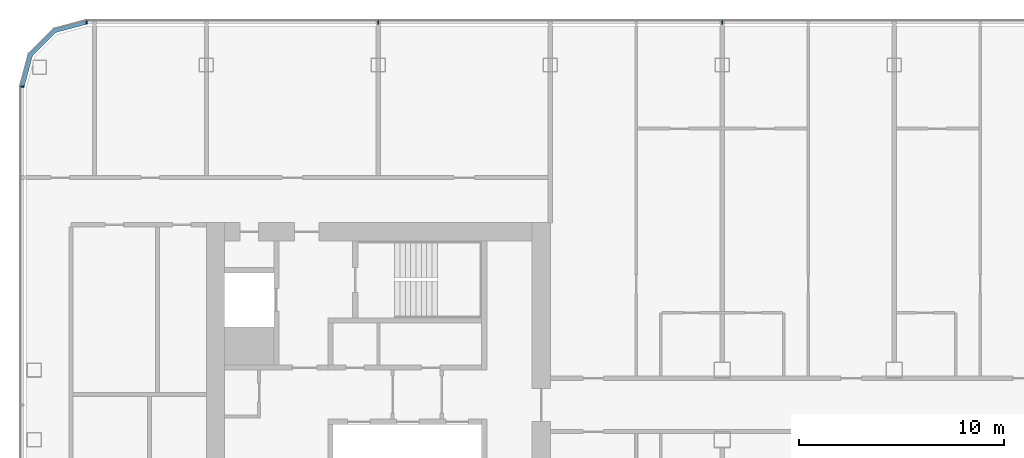
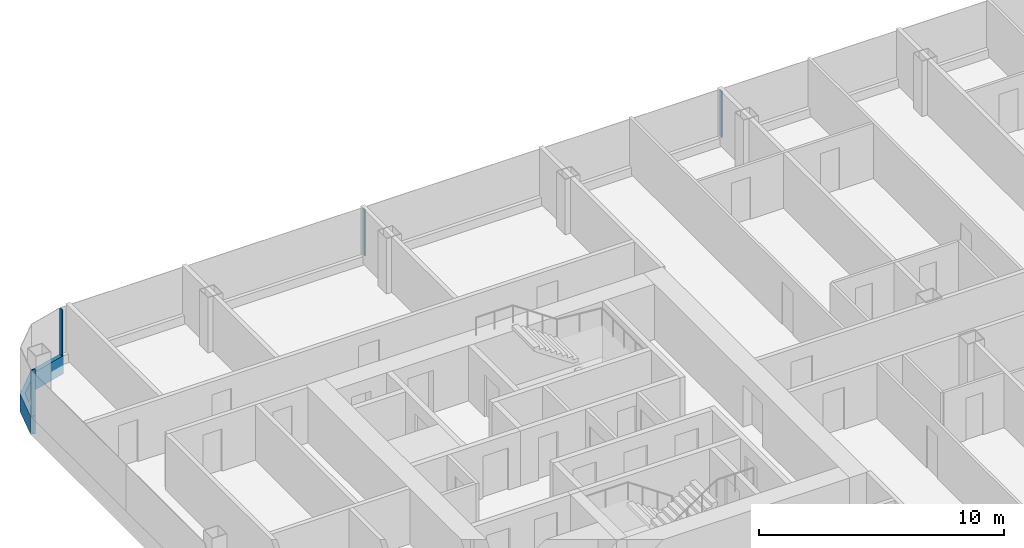
# One storey, part 6 of 26: 5 members, 3 elements without a shape of their own.
"""IFC4 building model written with IfcOpenShell, lengths in metres."""

from ifc_helpers import new_model, si_unit, direction, frame, origin, origin_2d, place, context, subcontext, project, spatial, polyline, rectangle, outline, extrude, material, layer, layer_set, material_profile, profile_set, type_object, element, aggregate, save


model = new_model("IFC4")

# Units and contexts
model_context = context("Model", 3, precision=1e-05, world=origin(), true_north=direction((0.0, 1.0)))
body_context = subcontext(model_context, "Body", "Model", "MODEL_VIEW")
ifc_project = project(units=[si_unit("LENGTHUNIT", "METRE"), si_unit("AREAUNIT", "SQUARE_METRE"), si_unit("VOLUMEUNIT", "CUBIC_METRE"), si_unit("PLANEANGLEUNIT", "RADIAN"), si_unit("MASSUNIT", "GRAM", prefix="KILO")], contexts=[model_context])

# Site, building, storey
site_placement = place(None, origin())
site = spatial("IfcSite", under=ifc_project, at=site_placement, CompositionType="ELEMENT")
building_placement = place(site_placement, origin())
building = spatial("IfcBuilding", under=site, at=building_placement, Name="Hakoniwa Tower and Hamabe Station Hall", CompositionType="ELEMENT")
storey_placement = place(building_placement, frame((0.0, 0.0, 143.800048828125)))
storey = spatial("IfcBuildingStorey", under=building, at=storey_placement, Name="L40", CompositionType="ELEMENT", Elevation=143.800048828125)

# Curtain wall, member
ifc_material_1 = material(Name="Dark low-e laminated glass", Category="glass")
ifc_layer = layer(ifc_material_1, 0.199951171875)
ifc_layer_set = layer_set([ifc_layer], Name="CW-1 UNITISED GUEST")
curtain_wall_type = type_object("IfcCurtainWallType", Name="CW-1 UNITISED GUEST", PredefinedType="NOTDEFINED", material=ifc_layer_set)
curtain_wall_1_placement = place(storey_placement, origin())
curtain_wall_1 = element("IfcCurtainWall", 1, at=curtain_wall_1_placement, inside=storey, type_object=curtain_wall_type, Name="CW-1 curtain wall", PredefinedType="NOTDEFINED")
ifc_material_2 = material(Name="Aluminium 6063-T5 black anodised", Category="aluminium")
ifc_material_profile_1 = material_profile(ifc_material_2, rectangle(XDim=0.199951171875, YDim=0.89990234375, at=origin_2d()), Name="CW SLAB-EDGE BAND 900X200")
ifc_profile_set_1 = profile_set([ifc_material_profile_1], Name="Aluminium 6063-T5 black anodised")
member_type_1 = type_object("IfcMemberType", Name="CW SLAB-EDGE BAND 900X200", PredefinedType="USERDEFINED", material=ifc_profile_set_1)
member_1_placement = place(storey_placement, frame((0.0, 0.0, -0.550048828125)))
member_1 = element("IfcMember", 2, at=member_1_placement, type_object=member_type_1, Name="CW-1 transom", ObjectType="TRANSOM", PredefinedType="USERDEFINED", context=body_context, shape_type="SweptSolid", body=[
    extrude(outline(polyline([(-39.439453125, 18.300048828125), (-41.05517578125, 17.866943359375), (-42.26708984375, 16.6552734375), (-42.699951171875, 15.03955078125), (-42.5068359375, 14.98779296875), (-42.087646484375, 16.5517578125), (-40.95166015625, 17.687744140625), (-39.3876953125, 18.10693359375), (-39.439453125, 18.300048828125)])), origin(), (0.0, 0.0, 1.0), 0.89990234375),
])
aggregate(curtain_wall_1, [member_1])

# Curtain wall, members
curtain_wall_2_placement = place(storey_placement, origin())
curtain_wall_2 = element("IfcCurtainWall", 3, at=curtain_wall_2_placement, inside=storey, type_object=curtain_wall_type, Name="CW-1 curtain wall", PredefinedType="NOTDEFINED")
ifc_material_3 = material(Name="Aluminium 6063-T5 black anodised", Category="aluminium")
ifc_material_profile_2 = material_profile(ifc_material_3, rectangle(XDim=0.06005859375, YDim=0.179931640625, at=origin_2d()), Name="CW-1 MULLION 60X180")
ifc_profile_set_2 = profile_set([ifc_material_profile_2], Name="Aluminium 6063-T5 black anodised")
member_type_2 = type_object("IfcMemberType", Name="CW-1 MULLION 60X180", PredefinedType="MULLION", material=ifc_profile_set_2)
member_2_placement = place(storey_placement, frame((-8.39990234375, 18.181884765625, 0.349853515625), z_axis=(0.0, 0.0, 1.0), x_axis=(-1.0, 0.0, 0.0)))
member_2 = element("IfcMember", 4, at=member_2_placement, type_object=member_type_2, Name="CW-1 mullion", PredefinedType="MULLION", context=body_context, shape_type="SweptSolid", body=[
    extrude(rectangle(XDim=0.06005859375, YDim=0.179931640625, at=origin_2d()), origin(), (0.0, 0.0, 1.0), 2.300048828125),
])
member_3_placement = place(storey_placement, frame((-25.199951171875, 18.181884765625, 0.349853515625), z_axis=(0.0, 0.0, 1.0), x_axis=(-1.0, 0.0, 0.0)))
member_3 = element("IfcMember", 5, at=member_3_placement, type_object=member_type_2, Name="CW-1 mullion", PredefinedType="MULLION", context=body_context, shape_type="SweptSolid", body=[
    extrude(rectangle(XDim=0.06005859375, YDim=0.179931640625, at=origin_2d()), origin(), (0.0, 0.0, 1.0), 2.300048828125),
])
member_4_placement = place(storey_placement, frame((-39.439453125, 18.181884765625, 0.349853515625), z_axis=(0.0, 0.0, 1.0), x_axis=(-1.0, 0.0, 0.0)))
member_4 = element("IfcMember", 6, at=member_4_placement, type_object=member_type_2, Name="CW-1 mullion", PredefinedType="MULLION", context=body_context, shape_type="SweptSolid", body=[
    extrude(rectangle(XDim=0.06005859375, YDim=0.179931640625, at=origin_2d()), origin(), (0.0, 0.0, 1.0), 2.300048828125),
])
aggregate(curtain_wall_2, [member_2, member_3, member_4])

# Curtain wall, member
curtain_wall_3_placement = place(storey_placement, origin())
curtain_wall_3 = element("IfcCurtainWall", 7, at=curtain_wall_3_placement, inside=storey, type_object=curtain_wall_type, Name="CW-1 curtain wall", PredefinedType="NOTDEFINED")
member_5_placement = place(storey_placement, frame((-42.58203125, 15.03955078125, 0.349853515625), z_axis=(0.0, 0.0, 1.0), x_axis=(0.0, -1.0, 0.0)))
member_5 = element("IfcMember", 8, at=member_5_placement, type_object=member_type_2, Name="CW-1 mullion", PredefinedType="MULLION", context=body_context, shape_type="SweptSolid", body=[
    extrude(rectangle(XDim=0.06005859375, YDim=0.179931640625, at=origin_2d()), origin(), (0.0, 0.0, 1.0), 2.300048828125),
])
aggregate(curtain_wall_3, [member_5])

save(model, "model.ifc")
